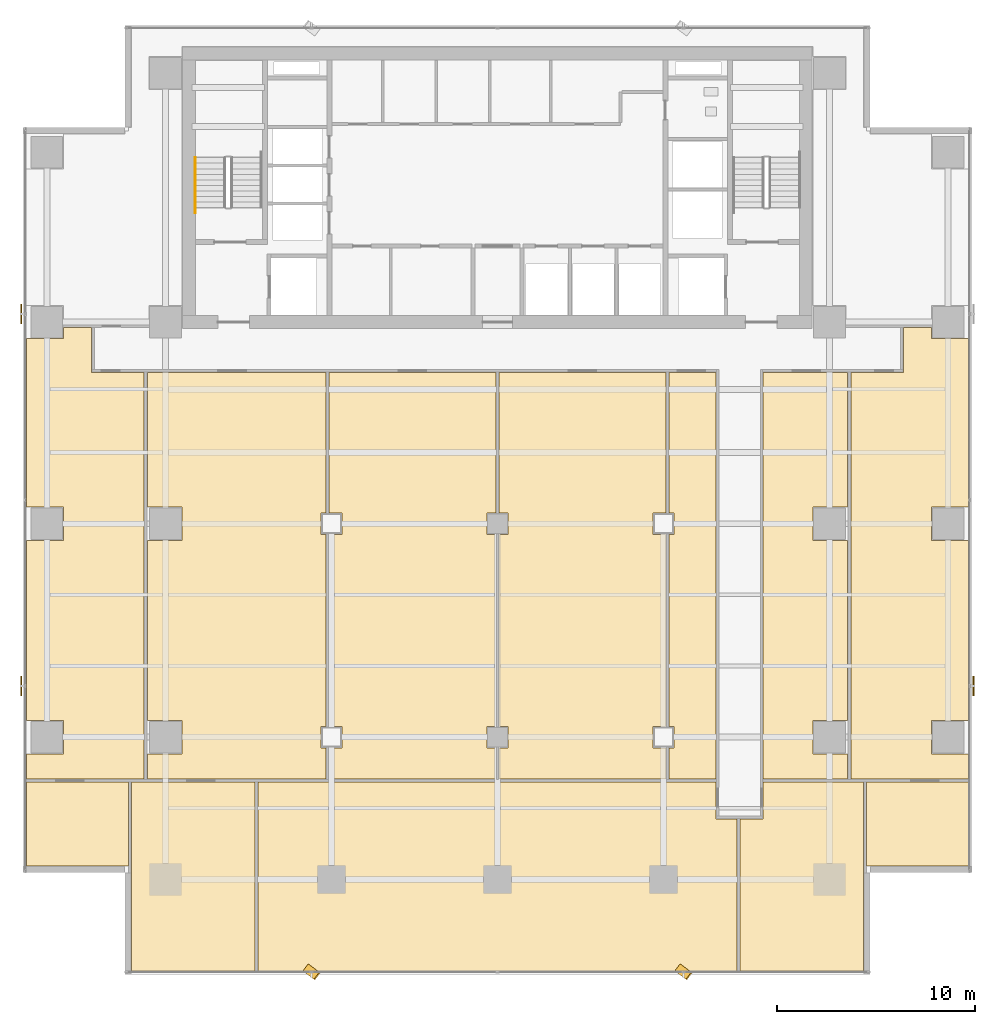
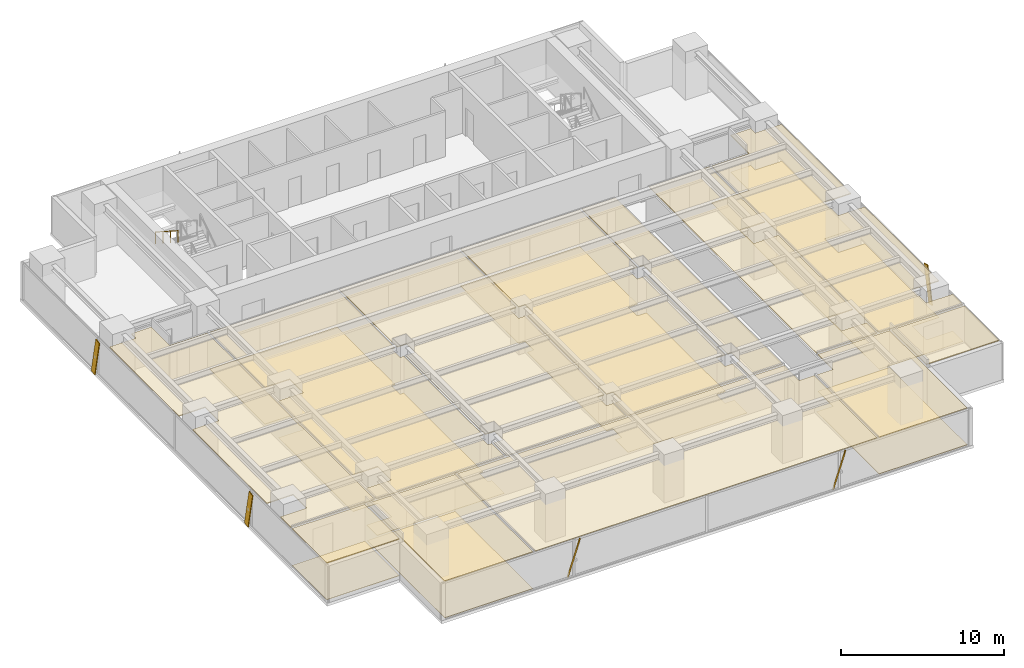
# One storey, part 24 of 28: 18 coverings, 5 shading devices, 1 railing.
"""IFC4 building model written with IfcOpenShell, lengths in metres."""

from ifc_helpers import new_model, si_unit, direction, frame, origin, origin_2d, place, context, subcontext, project, spatial, polyline, rectangle, outline, extrude, source, transform, mapped, material, layer, layer_set, material_profile, profile_set, type_object, element, save


model = new_model("IFC4")

# Units and contexts
model_context = context("Model", 3, precision=1e-05, world=origin(), true_north=direction((0.0, 1.0)))
body_context = subcontext(model_context, "Body", "Model", "MODEL_VIEW")
ifc_project = project(units=[si_unit("LENGTHUNIT", "METRE"), si_unit("AREAUNIT", "SQUARE_METRE"), si_unit("VOLUMEUNIT", "CUBIC_METRE"), si_unit("PLANEANGLEUNIT", "RADIAN"), si_unit("MASSUNIT", "GRAM", prefix="KILO")], contexts=[model_context])

# Site, building, storey
site_placement = place(None, origin())
site = spatial("IfcSite", under=ifc_project, at=site_placement, CompositionType="ELEMENT")
building_placement = place(site_placement, origin())
building = spatial("IfcBuilding", under=site, at=building_placement, Name="Sumidabori Civic Tower", CompositionType="ELEMENT")
storey_placement = place(building_placement, frame((0.0, 0.0, 182.0)))
storey = spatial("IfcBuildingStorey", under=building, at=storey_placement, Name="L47", CompositionType="ELEMENT", Elevation=182.0)

# Coverings
ifc_material_1 = material(Name="Gypsum Coffered Acoustic Ceiling")
ifc_layer_1 = layer(ifc_material_1, 0.06494140625, Name="Gypsum Coffered Acoustic Ceiling")
ifc_layer_set_1 = layer_set([ifc_layer_1], Name="Gypsum Coffered Acoustic Ceiling")
covering_type_1 = type_object("IfcCoveringType", Name="CV-CEIL-AC4", PredefinedType="CEILING", material=ifc_layer_set_1)
covering_1_placement = place(storey_placement, frame((0.0, 0.0, 2.72998046875)))
element("IfcCovering", 1, at=covering_1_placement, inside=storey, type_object=covering_type_1, Name="Room Acoustic Ceiling L47-02", PredefinedType="CEILING", context=body_context, shape_type="SweptSolid", body=[
    extrude(outline(polyline([(-23.830078125, -0.840087890625), (-21.9599609375, -0.840087890625), (-21.9599609375, 0.840087890625), (-23.830078125, 0.840087890625), (-23.830078125, 9.360107421875), (-21.9599609375, 9.360107421875), (-21.9599609375, 9.919921875), (-20.5400390625, 9.919921875), (-20.5400390625, 7.659912109375), (-17.8798828125, 7.659912109375), (-17.8798828125, -12.919921875), (-23.830078125, -12.919921875), (-23.830078125, -11.639892578125), (-21.9599609375, -11.639892578125), (-21.9599609375, -9.9599609375), (-23.830078125, -9.9599609375), (-23.830078125, -0.840087890625)])), origin(), (0.0, 0.0, 1.0), 0.06494140625),
])
covering_2_placement = place(storey_placement, frame((0.0, 0.0, 2.72998046875)))
element("IfcCovering", 2, at=covering_2_placement, inside=storey, type_object=covering_type_1, Name="Room Acoustic Ceiling L47-03", PredefinedType="CEILING", context=body_context, shape_type="SweptSolid", body=[
    extrude(outline(polyline([(23.830078125, 0.840087890625), (21.9599609375, 0.840087890625), (21.9599609375, -0.840087890625), (23.830078125, -0.840087890625), (23.830078125, -9.9599609375), (21.9599609375, -9.9599609375), (21.9599609375, -11.639892578125), (23.830078125, -11.639892578125), (23.830078125, -12.919921875), (17.8798828125, -12.919921875), (17.8798828125, 7.659912109375), (20.5400390625, 7.659912109375), (20.5400390625, 9.919921875), (21.9599609375, 9.919921875), (21.9599609375, 9.360107421875), (23.830078125, 9.360107421875), (23.830078125, 0.840087890625)])), origin(), (0.0, 0.0, 1.0), 0.06494140625),
])
covering_3_placement = place(storey_placement, frame((0.0, 0.0, 2.72998046875)))
element("IfcCovering", 3, at=covering_3_placement, inside=storey, type_object=covering_type_1, Name="Room Acoustic Ceiling L47-04", PredefinedType="CEILING", context=body_context, shape_type="SweptSolid", body=[
    extrude(outline(polyline([(13.43994140625, -12.919921875), (13.43994140625, 7.659912109375), (17.719970703125, 7.659912109375), (17.719970703125, 0.840087890625), (15.9599609375, 0.840087890625), (15.9599609375, -0.840087890625), (17.719970703125, -0.840087890625), (17.719970703125, -9.9599609375), (15.9599609375, -9.9599609375), (15.9599609375, -11.639892578125), (17.719970703125, -11.639892578125), (17.719970703125, -12.919921875), (13.43994140625, -12.919921875)])), origin(), (0.0, 0.0, 1.0), 0.06494140625),
])
covering_4_placement = place(storey_placement, frame((0.0, 0.0, 2.72998046875)))
element("IfcCovering", 4, at=covering_4_placement, inside=storey, type_object=covering_type_1, Name="Room Acoustic Ceiling L47-05", PredefinedType="CEILING", context=body_context, shape_type="SweptSolid", body=[
    extrude(outline(polyline([(-17.719970703125, -11.639892578125), (-15.9599609375, -11.639892578125), (-15.9599609375, -9.9599609375), (-17.719970703125, -9.9599609375), (-17.719970703125, -0.840087890625), (-15.9599609375, -0.840087890625), (-15.9599609375, 0.840087890625), (-17.719970703125, 0.840087890625), (-17.719970703125, 7.659912109375), (-8.679931640625, 7.659912109375), (-8.679931640625, 0.5400390625), (-8.93994140625, 0.5400390625), (-8.93994140625, -0.5400390625), (-8.679931640625, -0.5400390625), (-8.679931640625, -10.260009765625), (-8.93994140625, -10.260009765625), (-8.93994140625, -11.340087890625), (-8.679931640625, -11.340087890625), (-8.679931640625, -12.919921875), (-17.719970703125, -12.919921875), (-17.719970703125, -11.639892578125)])), origin(), (0.0, 0.0, 1.0), 0.06494140625),
])
covering_5_placement = place(storey_placement, frame((0.0, 0.0, 2.72998046875)))
element("IfcCovering", 5, at=covering_5_placement, inside=storey, type_object=covering_type_1, Name="Room Acoustic Ceiling L47-06", PredefinedType="CEILING", context=body_context, shape_type="SweptSolid", body=[
    extrude(outline(polyline([(-8.52001953125, -12.919921875), (-8.52001953125, -11.340087890625), (-7.860107421875, -11.340087890625), (-7.860107421875, -10.260009765625), (-8.52001953125, -10.260009765625), (-8.52001953125, -0.5400390625), (-7.860107421875, -0.5400390625), (-7.860107421875, 0.5400390625), (-8.52001953125, 0.5400390625), (-8.52001953125, 7.659912109375), (-0.080078125, 7.659912109375), (-0.080078125, 0.5400390625), (-0.5400390625, 0.5400390625), (-0.5400390625, -0.5400390625), (-0.080078125, -0.5400390625), (-0.080078125, -10.260009765625), (-0.5400390625, -10.260009765625), (-0.5400390625, -11.340087890625), (-0.080078125, -11.340087890625), (-0.080078125, -12.919921875), (-8.52001953125, -12.919921875)])), origin(), (0.0, 0.0, 1.0), 0.06494140625),
])
covering_6_placement = place(storey_placement, frame((0.0, 0.0, 2.72998046875)))
element("IfcCovering", 6, at=covering_6_placement, inside=storey, type_object=covering_type_1, Name="Room Acoustic Ceiling L47-07", PredefinedType="CEILING", context=body_context, shape_type="SweptSolid", body=[
    extrude(outline(polyline([(0.080078125, -12.919921875), (0.080078125, -11.340087890625), (0.5400390625, -11.340087890625), (0.5400390625, -10.260009765625), (0.080078125, -10.260009765625), (0.080078125, -0.5400390625), (0.5400390625, -0.5400390625), (0.5400390625, 0.5400390625), (0.080078125, 0.5400390625), (0.080078125, 7.659912109375), (8.52001953125, 7.659912109375), (8.52001953125, 0.5400390625), (7.860107421875, 0.5400390625), (7.860107421875, -0.5400390625), (8.52001953125, -0.5400390625), (8.52001953125, -10.260009765625), (7.860107421875, -10.260009765625), (7.860107421875, -11.340087890625), (8.52001953125, -11.340087890625), (8.52001953125, -12.919921875), (0.080078125, -12.919921875)])), origin(), (0.0, 0.0, 1.0), 0.06494140625),
])
covering_7_placement = place(storey_placement, frame((0.0, 0.0, 2.72998046875)))
element("IfcCovering", 7, at=covering_7_placement, inside=storey, type_object=covering_type_1, Name="Room Acoustic Ceiling L47-08", PredefinedType="CEILING", context=body_context, shape_type="SweptSolid", body=[
    extrude(outline(polyline([(8.679931640625, -12.919921875), (8.679931640625, -11.340087890625), (8.93994140625, -11.340087890625), (8.93994140625, -10.260009765625), (8.679931640625, -10.260009765625), (8.679931640625, -0.5400390625), (8.93994140625, -0.5400390625), (8.93994140625, 0.5400390625), (8.679931640625, 0.5400390625), (8.679931640625, 7.659912109375), (11.06005859375, 7.659912109375), (11.06005859375, -12.919921875), (8.679931640625, -12.919921875)])), origin(), (0.0, 0.0, 1.0), 0.06494140625),
])
covering_8_placement = place(storey_placement, frame((0.0, 0.0, 2.72998046875)))
element("IfcCovering", 8, at=covering_8_placement, inside=storey, type_object=covering_type_1, Name="Room Acoustic Ceiling L47-09", PredefinedType="CEILING", context=body_context, shape_type="SweptSolid", body=[
    extrude(outline(polyline([(-23.830078125, -17.322021484375), (-23.830078125, -13.080078125), (-18.679931640625, -13.080078125), (-18.679931640625, -17.322021484375), (-23.830078125, -17.322021484375)])), origin(), (0.0, 0.0, 1.0), 0.06494140625),
])
covering_9_placement = place(storey_placement, frame((0.0, 0.0, 2.72998046875)))
element("IfcCovering", 9, at=covering_9_placement, inside=storey, type_object=covering_type_1, Name="Room Acoustic Ceiling L47-10", PredefinedType="CEILING", context=body_context, shape_type="SweptSolid", body=[
    extrude(outline(polyline([(23.830078125, -13.080078125), (23.830078125, -17.322021484375), (18.679931640625, -17.322021484375), (18.679931640625, -13.080078125), (23.830078125, -13.080078125)])), origin(), (0.0, 0.0, 1.0), 0.06494140625),
])
covering_10_placement = place(storey_placement, frame((0.0, 0.0, 2.72998046875)))
element("IfcCovering", 10, at=covering_10_placement, inside=storey, type_object=covering_type_1, Name="Room Acoustic Ceiling L47-11", PredefinedType="CEILING", context=body_context, shape_type="SweptSolid", body=[
    extrude(outline(polyline([(-18.52001953125, -17.681884765625), (-18.52001953125, -13.080078125), (-12.280029296875, -13.080078125), (-12.280029296875, -22.6298828125), (-18.52197265625, -22.6298828125), (-18.52197265625, -17.681884765625), (-18.52001953125, -17.681884765625)])), origin(), (0.0, 0.0, 1.0), 0.06494140625),
])
covering_11_placement = place(storey_placement, frame((0.0, 0.0, 2.72998046875)))
element("IfcCovering", 11, at=covering_11_placement, inside=storey, type_object=covering_type_1, Name="Room Acoustic Ceiling L47-12", PredefinedType="CEILING", context=body_context, shape_type="SweptSolid", body=[
    extrude(outline(polyline([(-12.1201171875, -22.6298828125), (-12.1201171875, -13.080078125), (11.06005859375, -13.080078125), (11.06005859375, -14.93994140625), (12.1201171875, -14.93994140625), (12.1201171875, -22.6298828125), (-12.1201171875, -22.6298828125)])), origin(), (0.0, 0.0, 1.0), 0.06494140625),
])
covering_12_placement = place(storey_placement, frame((0.0, 0.0, 2.72998046875)))
element("IfcCovering", 12, at=covering_12_placement, inside=storey, type_object=covering_type_1, Name="Room Acoustic Ceiling L47-13", PredefinedType="CEILING", context=body_context, shape_type="SweptSolid", body=[
    extrude(outline(polyline([(18.52001953125, -17.681884765625), (18.52197265625, -17.681884765625), (18.52197265625, -22.6298828125), (12.280029296875, -22.6298828125), (12.280029296875, -14.93994140625), (13.43994140625, -14.93994140625), (13.43994140625, -13.080078125), (18.52001953125, -13.080078125), (18.52001953125, -17.681884765625)])), origin(), (0.0, 0.0, 1.0), 0.06494140625),
])
ifc_material_2 = material(Name="Honed Terrazzo Tile Flooring")
ifc_layer_2 = layer(ifc_material_2, 0.030029296875, Name="Honed Terrazzo Tile Flooring")
ifc_layer_set_2 = layer_set([ifc_layer_2], Name="Honed Terrazzo Tile Flooring")
covering_type_2 = type_object("IfcCoveringType", Name="CV-FLR-TER", PredefinedType="FLOORING", material=ifc_layer_set_2)
covering_13_placement = place(storey_placement, origin())
element("IfcCovering", 13, at=covering_13_placement, inside=storey, type_object=covering_type_2, Name="Room Terrazzo Floor L47-03", PredefinedType="FLOORING", context=body_context, shape_type="SweptSolid", body=[
    extrude(outline(polyline([(23.830078125, 0.840087890625), (21.9599609375, 0.840087890625), (21.9599609375, -0.840087890625), (23.830078125, -0.840087890625), (23.830078125, -9.9599609375), (21.9599609375, -9.9599609375), (21.9599609375, -11.639892578125), (23.830078125, -11.639892578125), (23.830078125, -12.919921875), (17.8798828125, -12.919921875), (17.8798828125, 7.659912109375), (20.5400390625, 7.659912109375), (20.5400390625, 9.919921875), (21.9599609375, 9.919921875), (21.9599609375, 9.360107421875), (23.830078125, 9.360107421875), (23.830078125, 0.840087890625)])), origin(), (0.0, 0.0, 1.0), 0.030029296875),
])
covering_14_placement = place(storey_placement, origin())
element("IfcCovering", 14, at=covering_14_placement, inside=storey, type_object=covering_type_2, Name="Room Terrazzo Floor L47-05", PredefinedType="FLOORING", context=body_context, shape_type="SweptSolid", body=[
    extrude(outline(polyline([(-17.719970703125, -11.639892578125), (-15.9599609375, -11.639892578125), (-15.9599609375, -9.9599609375), (-17.719970703125, -9.9599609375), (-17.719970703125, -0.840087890625), (-15.9599609375, -0.840087890625), (-15.9599609375, 0.840087890625), (-17.719970703125, 0.840087890625), (-17.719970703125, 7.659912109375), (-8.679931640625, 7.659912109375), (-8.679931640625, 0.5400390625), (-8.93994140625, 0.5400390625), (-8.93994140625, -0.5400390625), (-8.679931640625, -0.5400390625), (-8.679931640625, -10.260009765625), (-8.93994140625, -10.260009765625), (-8.93994140625, -11.340087890625), (-8.679931640625, -11.340087890625), (-8.679931640625, -12.919921875), (-17.719970703125, -12.919921875), (-17.719970703125, -11.639892578125)])), origin(), (0.0, 0.0, 1.0), 0.030029296875),
])
covering_15_placement = place(storey_placement, origin())
element("IfcCovering", 15, at=covering_15_placement, inside=storey, type_object=covering_type_2, Name="Room Terrazzo Floor L47-07", PredefinedType="FLOORING", context=body_context, shape_type="SweptSolid", body=[
    extrude(outline(polyline([(0.080078125, -12.919921875), (0.080078125, -11.340087890625), (0.5400390625, -11.340087890625), (0.5400390625, -10.260009765625), (0.080078125, -10.260009765625), (0.080078125, -0.5400390625), (0.5400390625, -0.5400390625), (0.5400390625, 0.5400390625), (0.080078125, 0.5400390625), (0.080078125, 7.659912109375), (8.52001953125, 7.659912109375), (8.52001953125, 0.5400390625), (7.860107421875, 0.5400390625), (7.860107421875, -0.5400390625), (8.52001953125, -0.5400390625), (8.52001953125, -10.260009765625), (7.860107421875, -10.260009765625), (7.860107421875, -11.340087890625), (8.52001953125, -11.340087890625), (8.52001953125, -12.919921875), (0.080078125, -12.919921875)])), origin(), (0.0, 0.0, 1.0), 0.030029296875),
])
covering_16_placement = place(storey_placement, origin())
element("IfcCovering", 16, at=covering_16_placement, inside=storey, type_object=covering_type_2, Name="Room Terrazzo Floor L47-09", PredefinedType="FLOORING", context=body_context, shape_type="SweptSolid", body=[
    extrude(outline(polyline([(-23.830078125, -17.322021484375), (-23.830078125, -13.080078125), (-18.679931640625, -13.080078125), (-18.679931640625, -17.322021484375), (-23.830078125, -17.322021484375)])), origin(), (0.0, 0.0, 1.0), 0.030029296875),
])
covering_17_placement = place(storey_placement, origin())
element("IfcCovering", 17, at=covering_17_placement, inside=storey, type_object=covering_type_2, Name="Room Terrazzo Floor L47-11", PredefinedType="FLOORING", context=body_context, shape_type="SweptSolid", body=[
    extrude(outline(polyline([(-18.52001953125, -17.681884765625), (-18.52001953125, -13.080078125), (-12.280029296875, -13.080078125), (-12.280029296875, -22.6298828125), (-18.52197265625, -22.6298828125), (-18.52197265625, -17.681884765625), (-18.52001953125, -17.681884765625)])), origin(), (0.0, 0.0, 1.0), 0.030029296875),
])
covering_18_placement = place(storey_placement, origin())
element("IfcCovering", 18, at=covering_18_placement, inside=storey, type_object=covering_type_2, Name="Room Terrazzo Floor L47-13", PredefinedType="FLOORING", context=body_context, shape_type="SweptSolid", body=[
    extrude(outline(polyline([(18.52001953125, -17.681884765625), (18.52197265625, -17.681884765625), (18.52197265625, -22.6298828125), (12.280029296875, -22.6298828125), (12.280029296875, -14.93994140625), (13.43994140625, -14.93994140625), (13.43994140625, -13.080078125), (18.52001953125, -13.080078125), (18.52001953125, -17.681884765625)])), origin(), (0.0, 0.0, 1.0), 0.030029296875),
])

# Railing
ifc_material_3 = material(Name="Stainless Steel Hairline Finish", Category="steel")
railing_type = type_object("IfcRailingType", Name="RL-HANDRAIL", PredefinedType="HANDRAIL", material=ifc_material_3)
railing_placement = place(storey_placement, frame((-15.2900390625, 18.52001953125, 1.97998046875)))
element("IfcRailing", 19, at=railing_placement, inside=storey, type_object=railing_type, Name="L47 ST-1 stair handrail 2", PredefinedType="HANDRAIL", context=body_context, shape_type="SweptSolid", body=[
    extrude(rectangle(XDim=0.048095703125, YDim=0.048095703125, at=origin_2d()), frame((0.0, 0.0, 0.8759765625), z_axis=(0.0, -0.840675598268, 0.541539046124), x_axis=(1.0, 0.0, 0.0)), (0.0, 0.0, 1.0), 3.330810546875),
    extrude(rectangle(XDim=0.0419921875, YDim=0.0419921875, at=origin_2d()), origin(), (0.0, 0.0, 1.0), 0.851806640625),
    extrude(rectangle(XDim=0.0419921875, YDim=0.0419921875, at=origin_2d()), frame((0.0, -0.933349609375, 0.601318359375)), (0.0, 0.0, 1.0), 0.851806640625),
    extrude(rectangle(XDim=0.0419921875, YDim=0.0419921875, at=origin_2d()), frame((0.0, -1.86669921875, 1.202392578125)), (0.0, 0.0, 1.0), 0.851806640625),
    extrude(rectangle(XDim=0.0419921875, YDim=0.0419921875, at=origin_2d()), frame((0.0, -2.800048828125, 1.8037109375)), (0.0, 0.0, 1.0), 0.851806640625),
])

# Shading devices
ifc_material_4 = material(Name="Anodised Bronze Aluminium AW-6063-T6", Category="aluminium")
ifc_material_profile = material_profile(ifc_material_4, rectangle(XDim=0.06005859375, YDim=0.449951171875, at=origin_2d()), Name="BRONZE FIN 450x60")
ifc_profile_set = profile_set([ifc_material_profile], Name="Anodised Bronze Aluminium AW-6063-T6")
shading_device_type = type_object("IfcShadingDeviceType", Name="SH-FIN-450", PredefinedType="USERDEFINED", material=ifc_profile_set)
shared_shape_1 = source(origin(), body_context, "Body", "SweptSolid", [
    extrude(rectangle(XDim=0.06005859375, YDim=0.449951171875, at=origin_2d()), origin(), (0.0, 0.0, 1.0), 2.789306640625),
])
for number, where, z_axis, x_axis, name in (
    (20, (-9.68994140625, -22.469970703125, 0.02001953125), (0.200794136335, -0.150551837182, 0.967995794998), (0.774477654896, -0.580689436103, -0.250966413819), "Bronze Anodised Diagonal Fin L47-01"),
    (21, (9.1298828125, -22.469970703125, 0.02001953125), (0.200794136335, -0.150551837182, 0.967995794998), (0.774477654896, -0.580689436103, -0.250966413819), "Bronze Anodised Diagonal Fin L47-03"),
):
    element("IfcShadingDevice", number, at=place(storey_placement, frame(where, z_axis=z_axis, x_axis=x_axis)), inside=storey, type_object=shading_device_type, Name=name, ObjectType="FIN", PredefinedType="USERDEFINED", context=body_context, shape_type="MappedRepresentation", body=[
        mapped(shared_shape_1, transform((0.0, 0.0, 0.0), x_axis=(1.0, 0.0, 0.0), y_axis=(0.0, 1.0, 0.0), z_axis=(0.0, 0.0, 1.0), scale=1.0)),
    ])
shared_shape_2 = source(origin(), body_context, "Body", "SweptSolid", [
    extrude(rectangle(XDim=0.06005859375, YDim=0.449951171875, at=origin_2d()), origin(), (0.0, 0.0, 1.0), 2.75732421875),
])
for number, where, z_axis, x_axis, name in (
    (22, (24.090087890625, -8.489990234375, 0.02001953125), (0.0, 0.203109150817, 0.979156102393), (-1.0, 0.0, 0.0), "Bronze Anodised Diagonal Fin L47-01"),
    (23, (-24.090087890625, 10.889892578125, 0.02001953125), (0.0, -0.20302426177, 0.979173707333), (-1.0, 0.0, 0.0), "Bronze Anodised Diagonal Fin L47-01"),
    (24, (-24.090087890625, -7.929931640625, 0.02001953125), (0.0, -0.203109150817, 0.979156102393), (-1.0, 0.0, 0.0), "Bronze Anodised Diagonal Fin L47-03"),
):
    element("IfcShadingDevice", number, at=place(storey_placement, frame(where, z_axis=z_axis, x_axis=x_axis)), inside=storey, type_object=shading_device_type, Name=name, ObjectType="FIN", PredefinedType="USERDEFINED", context=body_context, shape_type="MappedRepresentation", body=[
        mapped(shared_shape_2, transform((0.0, 0.0, 0.0), x_axis=(1.0, 0.0, 0.0), y_axis=(0.0, 1.0, 0.0), z_axis=(0.0, 0.0, 1.0), scale=1.0)),
    ])

save(model, "model.ifc")
